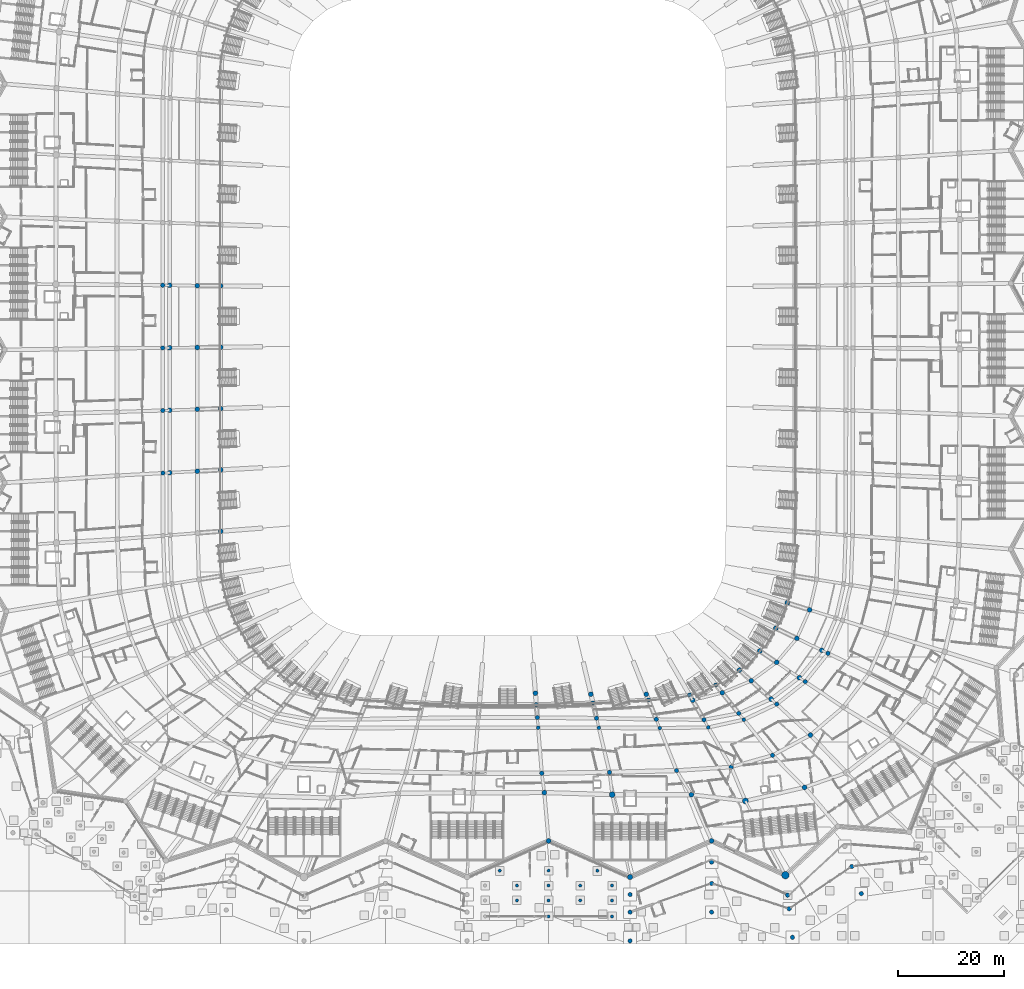
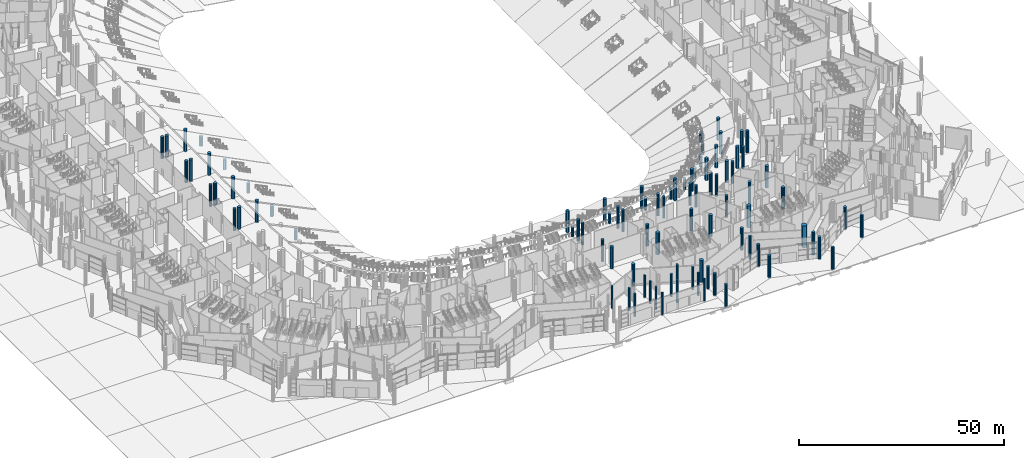
# One storey, part 11 of 255: 90 columns.
"""IFC4 building model written with IfcOpenShell, lengths in metres."""

from ifc_helpers import new_model, si_unit, direction, frame, origin, origin_2d, place, context, subcontext, project, spatial, circle, extrude, material, material_profile, profile_set, type_object, element, save


model = new_model("IFC4")

# Units and contexts
model_context = context("Model", 3, precision=1e-05, world=origin(), true_north=direction((0.0, 1.0)))
body_context = subcontext(model_context, "Body", "Model", "MODEL_VIEW")
ifc_project = project(units=[si_unit("LENGTHUNIT", "METRE"), si_unit("AREAUNIT", "SQUARE_METRE"), si_unit("VOLUMEUNIT", "CUBIC_METRE"), si_unit("PLANEANGLEUNIT", "RADIAN"), si_unit("MASSUNIT", "GRAM", prefix="KILO")], contexts=[model_context])

# Site, building, storey
site_placement = place(None, origin())
site = spatial("IfcSite", under=ifc_project, at=site_placement, CompositionType="ELEMENT")
building_placement = place(site_placement, origin())
building = spatial("IfcBuilding", under=site, at=building_placement, Name="Meseta Stadium", CompositionType="ELEMENT")
storey_placement = place(building_placement, origin())
storey = spatial("IfcBuildingStorey", under=building, at=storey_placement, Name="L00", CompositionType="ELEMENT", Elevation=0.0)

# Columns
ifc_material_1 = material(Name="Concrete C40/50", Category="concrete")
ifc_material_profile_1 = material_profile(ifc_material_1, circle(Radius=0.300048828125, at=origin_2d()), Name="RC D600")
ifc_profile_set_1 = profile_set([ifc_material_profile_1], Name="Concrete C40/50")
column_type_1 = type_object("IfcColumnType", Name="Gate column D600", PredefinedType="COLUMN", material=ifc_profile_set_1)
for number, where, z_axis, x_axis, name in (
    (1, (-1.516845703125, -104.199951171875, -0.300048828125), (0.0, 0.0, 1.0), (1.0, 0.0, 0.0), "Gate 7 column L00"),
    (2, (7.666748046875, -104.199951171875, -0.300048828125), (0.0, 0.0, 1.0), (1.0, 0.0, 0.0), "Gate 7 column L00"),
    (3, (16.85009765625, -104.199951171875, -0.300048828125), (0.0, 0.0, 1.0), (1.0, 0.0, 0.0), "Gate 7 column L00"),
    (4, (1.699951171875, -107.0, -0.300048828125), (0.0, 0.0, 1.0), (1.0, 0.0, 0.0), "Gate 7 column L00"),
    (5, (7.666748046875, -107.0, -0.300048828125), (0.0, 0.0, 1.0), (1.0, 0.0, 0.0), "Gate 7 column L00"),
    (6, (13.63330078125, -107.0, -0.300048828125), (0.0, 0.0, 1.0), (1.0, 0.0, 0.0), "Gate 7 column L00"),
    (7, (19.60009765625, -107.0, -0.300048828125), (0.0, 0.0, 1.0), (1.0, 0.0, 0.0), "Gate 7 column L00"),
    (8, (1.699951171875, -109.800048828125, -0.300048828125), (0.0, 0.0, 1.0), (1.0, 0.0, 0.0), "Gate 7 column L00"),
    (9, (7.666748046875, -109.800048828125, -0.300048828125), (0.0, 0.0, 1.0), (1.0, 0.0, 0.0), "Gate 7 column L00"),
    (10, (13.63330078125, -109.800048828125, -0.300048828125), (0.0, 0.0, 1.0), (1.0, 0.0, 0.0), "Gate 7 column L00"),
    (11, (19.60009765625, -109.800048828125, -0.300048828125), (0.0, 0.0, 1.0), (1.0, 0.0, 0.0), "Gate 7 column L00"),
    (12, (7.666748046875, -112.800048828125, -0.300048828125), (0.0, 0.0, 1.0), (1.0, 0.0, 0.0), "Gate 7 column L00"),
    (13, (19.60009765625, -112.800048828125, -0.300048828125), (0.0, 0.0, 1.0), (1.0, 0.0, 0.0), "Gate 7 column L00"),
):
    element("IfcColumn", number, at=place(storey_placement, frame(where, z_axis=z_axis, x_axis=x_axis)), inside=storey, type_object=column_type_1, Name=name, PredefinedType="COLUMN", context=body_context, shape_type="SweptSolid", body=[
        extrude(circle(Radius=0.300048828125, at=origin_2d()), origin(), (0.0, 0.0, 1.0), 6.800048828125),
    ])
ifc_material_2 = material(Name="Concrete C40/50", Category="concrete")
ifc_material_profile_2 = material_profile(ifc_material_2, circle(Radius=0.5, at=origin_2d()), Name="RC D1000")
ifc_profile_set_2 = profile_set([ifc_material_profile_2], Name="Concrete C40/50")
column_type_2 = type_object("IfcColumnType", Name="RC column D1000", PredefinedType="COLUMN", material=ifc_profile_set_2)
column_1_placement = place(storey_placement, frame((23.0, -105.39990234375, 0.0), z_axis=(0.0, 0.0, 1.0), x_axis=(1.0, 0.0, 0.0)))
element("IfcColumn", 14, at=column_1_placement, inside=storey, type_object=column_type_2, Name="Column C10 L00 frame 48 line R", PredefinedType="COLUMN", context=body_context, shape_type="SweptSolid", body=[
    extrude(circle(Radius=0.5, at=origin_2d()), origin(), (0.0, 0.0, 1.0), 6.5),
])
ifc_material_3 = material(Name="Concrete C40/50", Category="concrete")
ifc_material_profile_3 = material_profile(ifc_material_3, circle(Radius=0.550048828125, at=origin_2d()), Name="RC D1100")
ifc_profile_set_3 = profile_set([ifc_material_profile_3], Name="Concrete C40/50")
column_type_3 = type_object("IfcColumnType", Name="RC column D1100", PredefinedType="COLUMN", material=ifc_profile_set_3)
for number, where, z_axis, x_axis, name in (
    (15, (19.62744140625, -89.90380859375, 0.0), (0.0, 0.0, 1.0), (1.0, 0.0, 0.0), "Column C11 L00 frame 48 line P"),
    (16, (44.6826171875, -91.0908203125, 0.0), (0.0, 0.0, 1.0), (1.0, 0.0, 0.0), "Column C11 L00 frame 50 line P"),
):
    element("IfcColumn", number, at=place(storey_placement, frame(where, z_axis=z_axis, x_axis=x_axis)), inside=storey, type_object=column_type_3, Name=name, PredefinedType="COLUMN", context=body_context, shape_type="SweptSolid", body=[
        extrude(circle(Radius=0.550048828125, at=origin_2d()), origin(), (0.0, 0.0, 1.0), 6.5),
    ])
ifc_material_4 = material(Name="Concrete C40/50", Category="concrete")
ifc_material_profile_4 = material_profile(ifc_material_4, circle(Radius=0.699951171875, at=origin_2d()), Name="RC D1400")
ifc_profile_set_4 = profile_set([ifc_material_profile_4], Name="Concrete C40/50")
column_type_4 = type_object("IfcColumnType", Name="RC column D1400", PredefinedType="COLUMN", material=ifc_profile_set_4)
column_2_placement = place(storey_placement, frame((52.202880859375, -105.0517578125, 0.0), z_axis=(0.0, 0.0, 1.0), x_axis=(1.0, 0.0, 0.0)))
element("IfcColumn", 17, at=column_2_placement, inside=storey, type_object=column_type_4, Name="Column C14 L00 frame 50 line R", PredefinedType="COLUMN", context=body_context, shape_type="SweptSolid", body=[
    extrude(circle(Radius=0.699951171875, at=origin_2d()), origin(), (0.0, 0.0, 1.0), 6.5),
])
ifc_material_5 = material(Name="Concrete C40/50", Category="concrete")
ifc_material_profile_5 = material_profile(ifc_material_5, circle(Radius=0.35009765625, at=origin_2d()), Name="RC D700")
ifc_profile_set_5 = profile_set([ifc_material_profile_5], Name="Concrete C40/50")
column_type_5 = type_object("IfcColumnType", Name="RC column D700", PredefinedType="COLUMN", material=ifc_profile_set_5)
for number, where, z_axis, x_axis, name in (
    (18, (5.70654296875, -77.3037109375, 0.0), (0.0, 0.0, 1.0), (1.0, 0.0, 0.0), "Column C7 L00 frame 47 line D"),
    (19, (17.126708984375, -77.33203125, 0.0), (0.0, 0.0, 1.0), (1.0, 0.0, 0.0), "Column C7 L00 frame 48 line D"),
    (20, (28.564697265625, -77.38330078125, 0.0), (0.0, 0.0, 1.0), (1.0, 0.0, 0.0), "Column C7 L00 frame 49 line D"),
    (21, (37.711669921875, -77.26171875, 0.0), (0.0, 0.0, 1.0), (1.0, 0.0, 0.0), "Column C7 L00 frame 50 line D"),
    (22, (44.39013671875, -75.806396484375, 0.0), (0.0, 0.0, 1.0), (1.0, 0.0, 0.0), "Column C7 L00 frame 51 line D"),
):
    element("IfcColumn", number, at=place(storey_placement, frame(where, z_axis=z_axis, x_axis=x_axis)), inside=storey, type_object=column_type_5, Name=name, PredefinedType="COLUMN", context=body_context, shape_type="SweptSolid", body=[
        extrude(circle(Radius=0.35009765625, at=origin_2d()), origin(), (0.0, 0.0, 1.0), 6.5),
    ])
ifc_material_6 = material(Name="Concrete C40/50", Category="concrete")
ifc_material_profile_6 = material_profile(ifc_material_6, circle(Radius=0.39990234375, at=origin_2d()), Name="RC D800")
ifc_profile_set_6 = profile_set([ifc_material_profile_6], Name="Concrete C40/50")
column_type_6 = type_object("IfcColumnType", Name="RC column D800", PredefinedType="COLUMN", material=ifc_profile_set_6)
for number, where, z_axis, x_axis, name in (
    (23, (-64.898681640625, 5.886962890625, 0.0), (0.0, 0.0, 1.0), (1.0, 0.0, 0.0), "Column C8 L00 frame 32 line D"),
    (24, (-64.898681640625, -5.886962890625, 0.0), (0.0, 0.0, 1.0), (1.0, 0.0, 0.0), "Column C8 L00 frame 33 line D"),
    (25, (-64.886962890625, -17.66064453125, 0.0), (0.0, 0.0, 1.0), (1.0, 0.0, 0.0), "Column C8 L00 frame 34 line D"),
    (26, (-64.8642578125, -29.433349609375, 0.0), (0.0, 0.0, 1.0), (1.0, 0.0, 0.0), "Column C8 L00 frame 35 line D"),
):
    element("IfcColumn", number, at=place(storey_placement, frame(where, z_axis=z_axis, x_axis=x_axis)), inside=storey, type_object=column_type_6, Name=name, PredefinedType="COLUMN", context=body_context, shape_type="SweptSolid", body=[
        extrude(circle(Radius=0.39990234375, at=origin_2d()), origin(), (0.0, 0.0, 1.0), 6.5),
    ])
column_3_placement = place(storey_placement, frame((5.36181640625, -72.959228515625, 0.0), z_axis=(0.0, 0.0, 1.0), x_axis=(1.0, 0.0, 0.0)))
element("IfcColumn", 27, at=column_3_placement, inside=storey, type_object=column_type_6, Name="Column C8 L00 frame 47 line B", PredefinedType="COLUMN", context=body_context, shape_type="SweptSolid", body=[
    extrude(circle(Radius=0.39990234375, at=origin_2d()), origin(), (0.0, 0.0, 1.0), 2.91455078125),
])
for number, where, z_axis, x_axis, name in (
    (28, (5.556640625, -75.4150390625, 0.0), (0.0, 0.0, 1.0), (1.0, 0.0, 0.0), "Column C8 L00 frame 47 line C"),
    (29, (6.386962890625, -85.876708984375, 0.0), (0.0, 0.0, 1.0), (1.0, 0.0, 0.0), "Column C8 L00 frame 47 line E"),
):
    element("IfcColumn", number, at=place(storey_placement, frame(where, z_axis=z_axis, x_axis=x_axis)), inside=storey, type_object=column_type_6, Name=name, PredefinedType="COLUMN", context=body_context, shape_type="SweptSolid", body=[
        extrude(circle(Radius=0.39990234375, at=origin_2d()), origin(), (0.0, 0.0, 1.0), 6.5),
    ])
column_4_placement = place(storey_placement, frame((16.010986328125, -72.646484375, 0.0), z_axis=(0.0, 0.0, 1.0), x_axis=(1.0, 0.0, 0.0)))
element("IfcColumn", 30, at=column_4_placement, inside=storey, type_object=column_type_6, Name="Column C8 L00 frame 48 line B", PredefinedType="COLUMN", context=body_context, shape_type="SweptSolid", body=[
    extrude(circle(Radius=0.39990234375, at=origin_2d()), origin(), (0.0, 0.0, 1.0), 3.262451171875),
])
for number, where, z_axis, x_axis, name in (
    (31, (16.697509765625, -75.529541015625, 0.0), (0.0, 0.0, 1.0), (1.0, 0.0, 0.0), "Column C8 L00 frame 48 line C"),
    (32, (19.11865234375, -85.6982421875, 0.0), (0.0, 0.0, 1.0), (1.0, 0.0, 0.0), "Column C8 L00 frame 48 line E"),
):
    element("IfcColumn", number, at=place(storey_placement, frame(where, z_axis=z_axis, x_axis=x_axis)), inside=storey, type_object=column_type_6, Name=name, PredefinedType="COLUMN", context=body_context, shape_type="SweptSolid", body=[
        extrude(circle(Radius=0.39990234375, at=origin_2d()), origin(), (0.0, 0.0, 1.0), 6.5),
    ])
column_5_placement = place(storey_placement, frame((26.461669921875, -72.08349609375, 0.0), z_axis=(0.0, 0.0, 1.0), x_axis=(1.0, 0.0, 0.0)))
element("IfcColumn", 33, at=column_5_placement, inside=storey, type_object=column_type_6, Name="Column C8 L00 frame 49 line B", PredefinedType="COLUMN", context=body_context, shape_type="SweptSolid", body=[
    extrude(circle(Radius=0.39990234375, at=origin_2d()), origin(), (0.0, 0.0, 1.0), 3.587646484375),
])
for number, where, z_axis, x_axis, name in (
    (34, (27.910888671875, -75.735595703125, 0.0), (0.0, 0.0, 1.0), (1.0, 0.0, 0.0), "Column C8 L00 frame 49 line C"),
    (35, (31.73681640625, -85.376708984375, 0.0), (0.0, 0.0, 1.0), (1.0, 0.0, 0.0), "Column C8 L00 frame 49 line E"),
):
    element("IfcColumn", number, at=place(storey_placement, frame(where, z_axis=z_axis, x_axis=x_axis)), inside=storey, type_object=column_type_6, Name=name, PredefinedType="COLUMN", context=body_context, shape_type="SweptSolid", body=[
        extrude(circle(Radius=0.39990234375, at=origin_2d()), origin(), (0.0, 0.0, 1.0), 6.5),
    ])
column_6_placement = place(storey_placement, frame((34.185302734375, -71.16064453125, 0.0), z_axis=(0.0, 0.0, 1.0), x_axis=(1.0, 0.0, 0.0)))
element("IfcColumn", 36, at=column_6_placement, inside=storey, type_object=column_type_6, Name="Column C8 L00 frame 50 line B", PredefinedType="COLUMN", context=body_context, shape_type="SweptSolid", body=[
    extrude(circle(Radius=0.39990234375, at=origin_2d()), origin(), (0.0, 0.0, 1.0), 3.56884765625),
])
for number, where, z_axis, x_axis, name in (
    (37, (36.8857421875, -75.8330078125, 0.0), (0.0, 0.0, 1.0), (1.0, 0.0, 0.0), "Column C8 L00 frame 50 line C"),
    (38, (42.015625, -84.707275390625, 0.0), (0.0, 0.0, 1.0), (1.0, 0.0, 0.0), "Column C8 L00 frame 50 line E"),
):
    element("IfcColumn", number, at=place(storey_placement, frame(where, z_axis=z_axis, x_axis=x_axis)), inside=storey, type_object=column_type_6, Name=name, PredefinedType="COLUMN", context=body_context, shape_type="SweptSolid", body=[
        extrude(circle(Radius=0.39990234375, at=origin_2d()), origin(), (0.0, 0.0, 1.0), 6.5),
    ])
column_7_placement = place(storey_placement, frame((39.11865234375, -69.274658203125, 0.0), z_axis=(0.0, 0.0, 1.0), x_axis=(1.0, 0.0, 0.0)))
element("IfcColumn", 39, at=column_7_placement, inside=storey, type_object=column_type_6, Name="Column C8 L00 frame 51 line B", PredefinedType="COLUMN", context=body_context, shape_type="SweptSolid", body=[
    extrude(circle(Radius=0.39990234375, at=origin_2d()), origin(), (0.0, 0.0, 1.0), 3.234130859375),
])
for number, where, z_axis, x_axis, name in (
    (40, (43.430419921875, -74.617431640625, 0.0), (0.0, 0.0, 1.0), (1.0, 0.0, 0.0), "Column C8 L00 frame 51 line C"),
    (41, (49.791259765625, -82.498779296875, 0.0), (0.0, 0.0, 1.0), (1.0, 0.0, 0.0), "Column C8 L00 frame 51 line E"),
    (42, (50.571533203125, -72.888671875, 0.0), (0.0, 0.0, 1.0), (1.0, 0.0, 0.0), "Column C8 L00 frame 52 line D"),
    (43, (55.940185546875, -68.657958984375, 0.0), (0.0, 0.0, 1.0), (1.0, 0.0, 0.0), "Column C8 L00 frame 53 line D"),
    (44, (60.22216796875, -63.33056640625, 0.0), (0.0, 0.0, 1.0), (1.0, 0.0, 0.0), "Column C8 L00 frame 54 line D"),
):
    element("IfcColumn", number, at=place(storey_placement, frame(where, z_axis=z_axis, x_axis=x_axis)), inside=storey, type_object=column_type_6, Name=name, PredefinedType="COLUMN", context=body_context, shape_type="SweptSolid", body=[
        extrude(circle(Radius=0.39990234375, at=origin_2d()), origin(), (0.0, 0.0, 1.0), 6.5),
    ])
for number, where, z_axis, x_axis, name in (
    (45, (23.0, -108.699951171875, -0.300048828125), (0.0, 0.0, 1.0), (1.0, 0.0, 0.0), "Ring column C8 L00 frame 48 line M"),
    (46, (23.0, -112.0, -0.300048828125), (0.0, 0.0, 1.0), (1.0, 0.0, 0.0), "Ring column C8 L00 frame 48 line Q"),
    (47, (23.0, -117.39990234375, -0.300048828125), (0.0, 0.0, 1.0), (1.0, 0.0, 0.0), "Ring column C8 L00 frame 48 line O"),
    (48, (38.333251953125, -102.60009765625, -0.300048828125), (0.0, 0.0, 1.0), (1.0, 0.0, 0.0), "Ring column C8 L00 frame 49 line M"),
    (49, (38.333251953125, -106.60009765625, -0.300048828125), (0.0, 0.0, 1.0), (1.0, 0.0, 0.0), "Ring column C8 L00 frame 49 line Q"),
    (50, (38.333251953125, -112.0, -0.300048828125), (0.0, 0.0, 1.0), (1.0, 0.0, 0.0), "Ring column C8 L00 frame 49 line O"),
    (51, (52.626220703125, -108.80810546875, -0.300048828125), (0.0, 0.0, 1.0), (1.0, 0.0, 0.0), "Ring column C8 L00 frame 50 line M"),
    (52, (52.9150390625, -111.372314453125, -0.300048828125), (0.0, 0.0, 1.0), (1.0, 0.0, 0.0), "Ring column C8 L00 frame 50 line Q"),
    (53, (53.51953125, -116.73828125, -0.300048828125), (0.0, 0.0, 1.0), (1.0, 0.0, 0.0), "Ring column C8 L00 frame 50 line O"),
    (54, (64.69384765625, -103.423828125, -0.300048828125), (0.0, 0.0, 1.0), (1.0, 0.0, 0.0), "Ring column C8 L00 frame 51 line Q"),
    (55, (66.477294921875, -108.520751953125, -0.300048828125), (0.0, 0.0, 1.0), (1.0, 0.0, 0.0), "Ring column C8 L00 frame 51 line O"),
):
    element("IfcColumn", number, at=place(storey_placement, frame(where, z_axis=z_axis, x_axis=x_axis)), inside=storey, type_object=column_type_6, Name=name, PredefinedType="COLUMN", context=body_context, shape_type="SweptSolid", body=[
        extrude(circle(Radius=0.39990234375, at=origin_2d()), origin(), (0.0, 0.0, 1.0), 6.800048828125),
    ])
ifc_material_7 = material(Name="Concrete C40/50", Category="concrete")
ifc_material_profile_7 = material_profile(ifc_material_7, circle(Radius=0.449951171875, at=origin_2d()), Name="RC D900")
ifc_profile_set_7 = profile_set([ifc_material_profile_7], Name="Concrete C40/50")
column_type_7 = type_object("IfcColumnType", Name="RC column D900", PredefinedType="COLUMN", material=ifc_profile_set_7)
column_8_placement = place(storey_placement, frame((-53.999267578125, 5.767578125, 0.0), z_axis=(0.0, 0.0, 1.0), x_axis=(1.0, 0.0, 0.0)))
element("IfcColumn", 56, at=column_8_placement, inside=storey, type_object=column_type_7, Name="Column C9 L00 frame 32 line B", PredefinedType="COLUMN", context=body_context, shape_type="SweptSolid", body=[
    extrude(circle(Radius=0.449951171875, at=origin_2d()), origin(), (0.0, 0.0, 1.0), 2.9609375),
])
for number, where, z_axis, x_axis, name in (
    (57, (-58.39892578125, 5.815673828125, 0.0), (0.0, 0.0, 1.0), (1.0, 0.0, 0.0), "Column C9 L00 frame 32 line U"),
    (58, (-63.5986328125, 5.872802734375, 0.0), (0.0, 0.0, 1.0), (1.0, 0.0, 0.0), "Column C9 L00 frame 32 line C"),
):
    element("IfcColumn", number, at=place(storey_placement, frame(where, z_axis=z_axis, x_axis=x_axis)), inside=storey, type_object=column_type_7, Name=name, PredefinedType="COLUMN", context=body_context, shape_type="SweptSolid", body=[
        extrude(circle(Radius=0.449951171875, at=origin_2d()), origin(), (0.0, 0.0, 1.0), 6.5),
    ])
column_9_placement = place(storey_placement, frame((-53.999267578125, -5.767578125, 0.0), z_axis=(0.0, 0.0, 1.0), x_axis=(1.0, 0.0, 0.0)))
element("IfcColumn", 59, at=column_9_placement, inside=storey, type_object=column_type_7, Name="Column C9 L00 frame 33 line B", PredefinedType="COLUMN", context=body_context, shape_type="SweptSolid", body=[
    extrude(circle(Radius=0.449951171875, at=origin_2d()), origin(), (0.0, 0.0, 1.0), 2.9609375),
])
for number, where, z_axis, x_axis, name in (
    (60, (-58.39892578125, -5.815673828125, 0.0), (0.0, 0.0, 1.0), (1.0, 0.0, 0.0), "Column C9 L00 frame 33 line U"),
    (61, (-63.5986328125, -5.872802734375, 0.0), (0.0, 0.0, 1.0), (1.0, 0.0, 0.0), "Column C9 L00 frame 33 line C"),
):
    element("IfcColumn", number, at=place(storey_placement, frame(where, z_axis=z_axis, x_axis=x_axis)), inside=storey, type_object=column_type_7, Name=name, PredefinedType="COLUMN", context=body_context, shape_type="SweptSolid", body=[
        extrude(circle(Radius=0.449951171875, at=origin_2d()), origin(), (0.0, 0.0, 1.0), 6.5),
    ])
column_10_placement = place(storey_placement, frame((-53.992919921875, -17.302490234375, 0.0), z_axis=(0.0, 0.0, 1.0), x_axis=(1.0, 0.0, 0.0)))
element("IfcColumn", 62, at=column_10_placement, inside=storey, type_object=column_type_7, Name="Column C9 L00 frame 34 line B", PredefinedType="COLUMN", context=body_context, shape_type="SweptSolid", body=[
    extrude(circle(Radius=0.449951171875, at=origin_2d()), origin(), (0.0, 0.0, 1.0), 3.02392578125),
])
for number, where, z_axis, x_axis, name in (
    (63, (-58.390625, -17.447021484375, 0.0), (0.0, 0.0, 1.0), (1.0, 0.0, 0.0), "Column C9 L00 frame 34 line U"),
    (64, (-63.587890625, -17.617919921875, 0.0), (0.0, 0.0, 1.0), (1.0, 0.0, 0.0), "Column C9 L00 frame 34 line C"),
):
    element("IfcColumn", number, at=place(storey_placement, frame(where, z_axis=z_axis, x_axis=x_axis)), inside=storey, type_object=column_type_7, Name=name, PredefinedType="COLUMN", context=body_context, shape_type="SweptSolid", body=[
        extrude(circle(Radius=0.449951171875, at=origin_2d()), origin(), (0.0, 0.0, 1.0), 6.5),
    ])
column_11_placement = place(storey_placement, frame((-53.98046875, -28.836669921875, 0.0), z_axis=(0.0, 0.0, 1.0), x_axis=(1.0, 0.0, 0.0)))
element("IfcColumn", 65, at=column_11_placement, inside=storey, type_object=column_type_7, Name="Column C9 L00 frame 35 line B", PredefinedType="COLUMN", context=body_context, shape_type="SweptSolid", body=[
    extrude(circle(Radius=0.449951171875, at=origin_2d()), origin(), (0.0, 0.0, 1.0), 3.086669921875),
])
for number, where, z_axis, x_axis, name in (
    (66, (-58.3740234375, -29.07763671875, 0.0), (0.0, 0.0, 1.0), (1.0, 0.0, 0.0), "Column C9 L00 frame 35 line U"),
    (67, (-63.566162109375, -29.362060546875, 0.0), (0.0, 0.0, 1.0), (1.0, 0.0, 0.0), "Column C9 L00 frame 35 line C"),
):
    element("IfcColumn", number, at=place(storey_placement, frame(where, z_axis=z_axis, x_axis=x_axis)), inside=storey, type_object=column_type_7, Name=name, PredefinedType="COLUMN", context=body_context, shape_type="SweptSolid", body=[
        extrude(circle(Radius=0.449951171875, at=origin_2d()), origin(), (0.0, 0.0, 1.0), 6.5),
    ])
column_12_placement = place(storey_placement, frame((-53.9619140625, -40.369873046875, 0.0), z_axis=(0.0, 0.0, 1.0), x_axis=(1.0, 0.0, 0.0)))
element("IfcColumn", 68, at=column_12_placement, inside=storey, type_object=column_type_7, Name="Column C9 L00 frame 36 line B", PredefinedType="COLUMN", context=body_context, shape_type="SweptSolid", body=[
    extrude(circle(Radius=0.449951171875, at=origin_2d()), origin(), (0.0, 0.0, 1.0), 3.1494140625),
])
for number, where, z_axis, x_axis, name in (
    (69, (5.1923828125, -70.823974609375, 0.0), (0.0, 0.0, 1.0), (1.0, 0.0, 0.0), "Column C9 L00 frame 47 line U"),
    (70, (6.870849609375, -89.517822265625, 0.0), (0.0, 0.0, 1.0), (1.0, 0.0, 0.0), "Column C9 L00 frame 47 line P"),
    (71, (7.666748046875, -98.60009765625, 0.0), (0.0, 0.0, 1.0), (1.0, 0.0, 0.0), "Column C9 L00 frame 47 line R"),
    (72, (15.62109375, -71.0087890625, 0.0), (0.0, 0.0, 1.0), (1.0, 0.0, 0.0), "Column C9 L00 frame 48 line U"),
    (73, (26.03759765625, -71.014404296875, 0.0), (0.0, 0.0, 1.0), (1.0, 0.0, 0.0), "Column C9 L00 frame 49 line U"),
    (74, (34.53076171875, -89.911865234375, 0.0), (0.0, 0.0, 1.0), (1.0, 0.0, 0.0), "Column C9 L00 frame 49 line P"),
    (75, (38.333251953125, -98.60009765625, 0.0), (0.0, 0.0, 1.0), (1.0, 0.0, 0.0), "Column C9 L00 frame 49 line R"),
    (76, (34.7607421875, -72.15625, 0.0), (0.0, 0.0, 1.0), (1.0, 0.0, 0.0), "Column C9 L00 frame 50 line U"),
    (77, (40.307861328125, -70.748291015625, 0.0), (0.0, 0.0, 1.0), (1.0, 0.0, 0.0), "Column C9 L00 frame 51 line U"),
    (78, (55.799560546875, -88.541748046875, 0.0), (0.0, 0.0, 1.0), (1.0, 0.0, 0.0), "Column C9 L00 frame 51 line P"),
):
    element("IfcColumn", number, at=place(storey_placement, frame(where, z_axis=z_axis, x_axis=x_axis)), inside=storey, type_object=column_type_7, Name=name, PredefinedType="COLUMN", context=body_context, shape_type="SweptSolid", body=[
        extrude(circle(Radius=0.449951171875, at=origin_2d()), origin(), (0.0, 0.0, 1.0), 6.5),
    ])
column_13_placement = place(storey_placement, frame((43.5693359375, -66.478759765625, 0.0), z_axis=(0.0, 0.0, 1.0), x_axis=(1.0, 0.0, 0.0)))
element("IfcColumn", 79, at=column_13_placement, inside=storey, type_object=column_type_7, Name="Column C9 L00 frame 52 line B", PredefinedType="COLUMN", context=body_context, shape_type="SweptSolid", body=[
    extrude(circle(Radius=0.449951171875, at=origin_2d()), origin(), (0.0, 0.0, 1.0), 3.2021484375),
])
for number, where, z_axis, x_axis, name in (
    (80, (45.777099609375, -68.499755859375, 0.0), (0.0, 0.0, 1.0), (1.0, 0.0, 0.0), "Column C9 L00 frame 52 line U"),
    (81, (49.518310546875, -71.924560546875, 0.0), (0.0, 0.0, 1.0), (1.0, 0.0, 0.0), "Column C9 L00 frame 52 line C"),
    (82, (56.9150390625, -78.69580078125, 0.0), (0.0, 0.0, 1.0), (1.0, 0.0, 0.0), "Column C9 L00 frame 52 line E"),
):
    element("IfcColumn", number, at=place(storey_placement, frame(where, z_axis=z_axis, x_axis=x_axis)), inside=storey, type_object=column_type_7, Name=name, PredefinedType="COLUMN", context=body_context, shape_type="SweptSolid", body=[
        extrude(circle(Radius=0.449951171875, at=origin_2d()), origin(), (0.0, 0.0, 1.0), 6.5),
    ])
column_14_placement = place(storey_placement, frame((47.38134765625, -62.880126953125, 0.0), z_axis=(0.0, 0.0, 1.0), x_axis=(1.0, 0.0, 0.0)))
element("IfcColumn", 83, at=column_14_placement, inside=storey, type_object=column_type_7, Name="Column C9 L00 frame 53 line B", PredefinedType="COLUMN", context=body_context, shape_type="SweptSolid", body=[
    extrude(circle(Radius=0.449951171875, at=origin_2d()), origin(), (0.0, 0.0, 1.0), 3.139892578125),
])
for number, where, z_axis, x_axis, name in (
    (84, (50.552978515625, -65.021240234375, 0.0), (0.0, 0.0, 1.0), (1.0, 0.0, 0.0), "Column C9 L00 frame 53 line U"),
    (85, (54.819580078125, -67.901611328125, 0.0), (0.0, 0.0, 1.0), (1.0, 0.0, 0.0), "Column C9 L00 frame 53 line C"),
):
    element("IfcColumn", number, at=place(storey_placement, frame(where, z_axis=z_axis, x_axis=x_axis)), inside=storey, type_object=column_type_7, Name=name, PredefinedType="COLUMN", context=body_context, shape_type="SweptSolid", body=[
        extrude(circle(Radius=0.449951171875, at=origin_2d()), origin(), (0.0, 0.0, 1.0), 6.5),
    ])
column_15_placement = place(storey_placement, frame((50.41650390625, -58.61474609375, 0.0), z_axis=(0.0, 0.0, 1.0), x_axis=(1.0, 0.0, 0.0)))
element("IfcColumn", 86, at=column_15_placement, inside=storey, type_object=column_type_7, Name="Column C9 L00 frame 54 line B", PredefinedType="COLUMN", context=body_context, shape_type="SweptSolid", body=[
    extrude(circle(Radius=0.449951171875, at=origin_2d()), origin(), (0.0, 0.0, 1.0), 3.07421875),
])
for number, where, z_axis, x_axis, name in (
    (87, (54.3642578125, -60.513427734375, 0.0), (0.0, 0.0, 1.0), (1.0, 0.0, 0.0), "Column C9 L00 frame 54 line U"),
    (88, (59.049072265625, -62.766357421875, 0.0), (0.0, 0.0, 1.0), (1.0, 0.0, 0.0), "Column C9 L00 frame 54 line C"),
):
    element("IfcColumn", number, at=place(storey_placement, frame(where, z_axis=z_axis, x_axis=x_axis)), inside=storey, type_object=column_type_7, Name=name, PredefinedType="COLUMN", context=body_context, shape_type="SweptSolid", body=[
        extrude(circle(Radius=0.449951171875, at=origin_2d()), origin(), (0.0, 0.0, 1.0), 6.5),
    ])
column_16_placement = place(storey_placement, frame((52.562744140625, -53.843505859375, 0.0), z_axis=(0.0, 0.0, 1.0), x_axis=(1.0, 0.0, 0.0)))
element("IfcColumn", 89, at=column_16_placement, inside=storey, type_object=column_type_7, Name="Column C9 L00 frame 55 line B", PredefinedType="COLUMN", context=body_context, shape_type="SweptSolid", body=[
    extrude(circle(Radius=0.449951171875, at=origin_2d()), origin(), (0.0, 0.0, 1.0), 3.00634765625),
])
column_17_placement = place(storey_placement, frame((56.76123046875, -55.15966796875, 0.0), z_axis=(0.0, 0.0, 1.0), x_axis=(1.0, 0.0, 0.0)))
element("IfcColumn", 90, at=column_17_placement, inside=storey, type_object=column_type_7, Name="Column C9 L00 frame 55 line U", PredefinedType="COLUMN", context=body_context, shape_type="SweptSolid", body=[
    extrude(circle(Radius=0.449951171875, at=origin_2d()), origin(), (0.0, 0.0, 1.0), 6.5),
])

save(model, "model.ifc")
